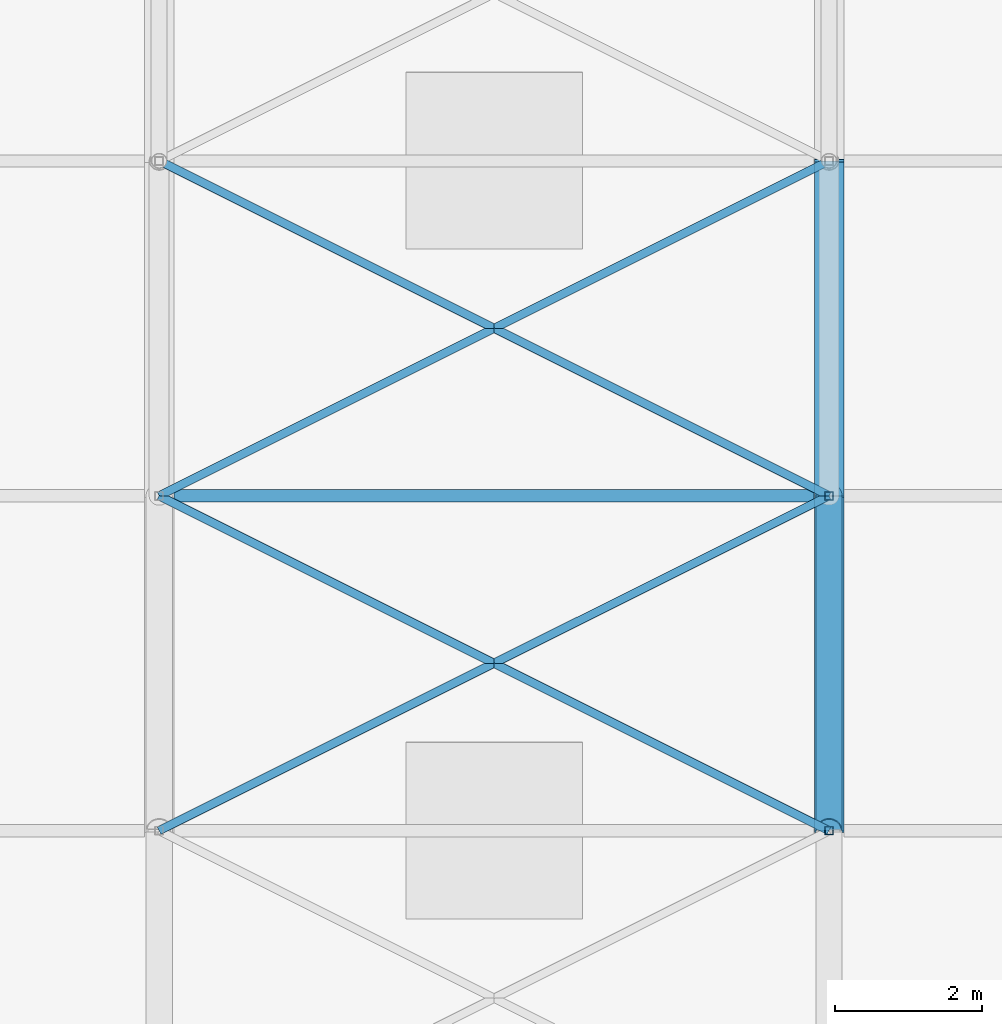
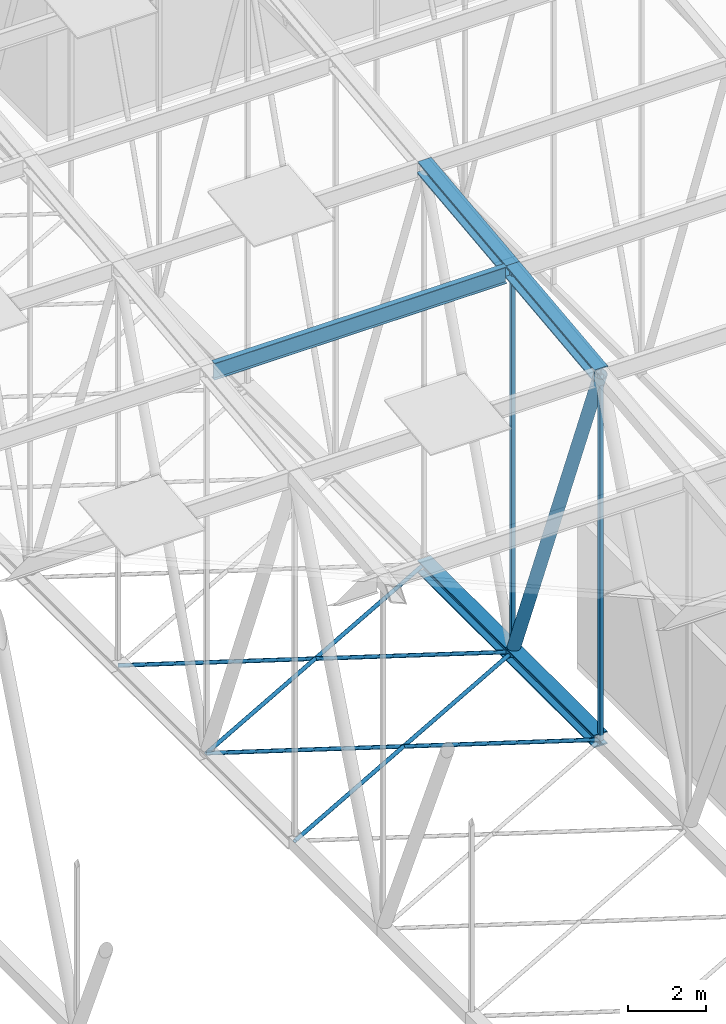
# One storey, part 148 of 500: 12 members.
"""IFC4 building model written with IfcOpenShell, lengths in metres."""

from ifc_helpers import new_model, si_unit, direction, frame, origin, origin_2d, place, context, subcontext, project, spatial, hollow_rectangle, hollow_circle, i_section, extrude, material, material_profile, profile_set, type_object, element, save


model = new_model("IFC4")

# Units and contexts
model_context = context("Model", 3, precision=1e-05, world=origin(), true_north=direction((0.0, 1.0)))
body_context = subcontext(model_context, "Body", "Model", "MODEL_VIEW")
ifc_project = project(units=[si_unit("LENGTHUNIT", "METRE"), si_unit("AREAUNIT", "SQUARE_METRE"), si_unit("VOLUMEUNIT", "CUBIC_METRE"), si_unit("PLANEANGLEUNIT", "RADIAN"), si_unit("MASSUNIT", "GRAM", prefix="KILO")], contexts=[model_context])

# Site, building, storey
site_placement = place(None, origin())
site = spatial("IfcSite", under=ifc_project, at=site_placement, CompositionType="ELEMENT")
building_placement = place(site_placement, origin())
building = spatial("IfcBuilding", under=site, at=building_placement, Name="Shirokan Park Arena", CompositionType="ELEMENT")
storey_placement = place(building_placement, frame((0.0, 0.0, 29.1201171875)))
storey = spatial("IfcBuildingStorey", under=building, at=storey_placement, Name="L06", CompositionType="ELEMENT", Elevation=29.1201171875)

# Members
ifc_material_1 = material(Name="Steel ASTM A992", Category="steel")
ifc_material_profile_1 = material_profile(ifc_material_1, i_section(OverallWidth=0.40087890625, OverallDepth=0.39892578125, WebThickness=0.02490234375, FlangeThickness=0.03955078125, at=origin_2d()), Name="W360X314")
ifc_profile_set_1 = profile_set([ifc_material_profile_1], Name="Steel ASTM A992")
member_type_1 = type_object("IfcMemberType", Name="Bottom chord W360X314", PredefinedType="CHORD", material=ifc_profile_set_1)
member_1_placement = place(storey_placement, frame((100.10009765625, 31.85009765625, 4.677001953125), z_axis=(0.0, 1.0, 0.0), x_axis=(-1.0, 0.0, 0.0)))
element("IfcMember", 1, at=member_1_placement, inside=storey, type_object=member_type_1, Name="Truss T12 bottom chord 10", PredefinedType="CHORD", context=body_context, shape_type="SweptSolid", body=[
    extrude(i_section(OverallWidth=0.40087890625, OverallDepth=0.39892578125, WebThickness=0.02490234375, FlangeThickness=0.03955078125, at=origin_2d()), origin(), (0.0, 0.0, 1.0), 4.5498046875),
])
member_2_placement = place(storey_placement, frame((100.10009765625, 36.39990234375, 4.677001953125), z_axis=(0.0, 1.0, 0.0), x_axis=(-1.0, 0.0, 0.0)))
element("IfcMember", 2, at=member_2_placement, inside=storey, type_object=member_type_1, Name="Truss T12 bottom chord 11", PredefinedType="CHORD", context=body_context, shape_type="SweptSolid", body=[
    extrude(i_section(OverallWidth=0.40087890625, OverallDepth=0.39892578125, WebThickness=0.02490234375, FlangeThickness=0.03955078125, at=origin_2d()), origin(), (0.0, 0.0, 1.0), 4.550048828125),
])
ifc_material_2 = material(Name="Steel ASTM A500 Grade C", Category="steel")
ifc_material_profile_2 = material_profile(ifc_material_2, hollow_circle(Radius=0.056884765625, WallThickness=0.006103515625, at=origin_2d()), Name="HSS114.3X6")
ifc_profile_set_2 = profile_set([ifc_material_profile_2], Name="Steel ASTM A500 Grade C")
member_type_2 = type_object("IfcMemberType", Name="Plan bracing HSS114.3X6", PredefinedType="BRACE", material=ifc_profile_set_2)
for number, where, z_axis, x_axis, name in (
    (3, (91.0, 31.85009765625, 4.677001953125), (0.8944367893, 0.447194398385, 0.0), (-0.447194398385, 0.8944367893, 0.0), "Plan bracing bay 11 panel 10 A"),
    (4, (100.10009765625, 31.85009765625, 4.677001953125), (-0.8944367893, 0.447194398385, 0.0), (-0.447194398385, -0.8944367893, 0.0), "Plan bracing bay 11 panel 10 B"),
):
    element("IfcMember", number, at=place(storey_placement, frame(where, z_axis=z_axis, x_axis=x_axis)), inside=storey, type_object=member_type_2, Name=name, PredefinedType="BRACE", context=body_context, shape_type="SweptSolid", body=[
        extrude(hollow_circle(Radius=0.056884765625, WallThickness=0.006103515625, at=origin_2d()), origin(), (0.0, 0.0, 1.0), 10.174072265625),
    ])
for number, where, z_axis, x_axis, name in (
    (5, (91.0, 36.39990234375, 4.677001953125), (0.894427191, 0.4472135955, 0.0), (-0.4472135955, 0.894427191, 0.0), "Plan bracing bay 11 panel 11 A"),
    (6, (100.10009765625, 36.39990234375, 4.677001953125), (-0.894427191, 0.4472135955, 0.0), (-0.4472135955, -0.894427191, 0.0), "Plan bracing bay 11 panel 11 B"),
):
    element("IfcMember", number, at=place(storey_placement, frame(where, z_axis=z_axis, x_axis=x_axis)), inside=storey, type_object=member_type_2, Name=name, PredefinedType="BRACE", context=body_context, shape_type="SweptSolid", body=[
        extrude(hollow_circle(Radius=0.056884765625, WallThickness=0.006103515625, at=origin_2d()), origin(), (0.0, 0.0, 1.0), 10.17431640625),
    ])
ifc_material_profile_3 = material_profile(ifc_material_1, i_section(OverallWidth=0.166015625, OverallDepth=0.528076171875, WebThickness=0.009765625, FlangeThickness=0.013671875, at=origin_2d()), Name="W530X74")
ifc_profile_set_3 = profile_set([ifc_material_profile_3], Name="Steel ASTM A992")
member_type_3 = type_object("IfcMemberType", Name="Purlin W530X74", PredefinedType="PURLIN", material=ifc_profile_set_3)
member_3_placement = place(storey_placement, frame((91.200439453125, 36.39990234375, 16.64599609375), z_axis=(1.0, 0.0, 0.0), x_axis=(0.0, 1.0, 0.0)))
element("IfcMember", 7, at=member_3_placement, inside=storey, type_object=member_type_3, Name="Purlin 11 bay 11", PredefinedType="PURLIN", context=body_context, shape_type="SweptSolid", body=[
    extrude(i_section(OverallWidth=0.166015625, OverallDepth=0.528076171875, WebThickness=0.009765625, FlangeThickness=0.013671875, at=origin_2d()), origin(), (0.0, 0.0, 1.0), 8.698974609375),
])
ifc_material_profile_4 = material_profile(ifc_material_1, i_section(OverallWidth=0.40087890625, OverallDepth=0.39892578125, WebThickness=0.02490234375, FlangeThickness=0.03955078125, at=origin_2d()), Name="W360X314")
ifc_profile_set_4 = profile_set([ifc_material_profile_4], Name="Steel ASTM A992")
member_type_4 = type_object("IfcMemberType", Name="Top chord W360X314", PredefinedType="CHORD", material=ifc_profile_set_4)
member_4_placement = place(storey_placement, frame((100.10009765625, 31.85009765625, 16.181396484375), z_axis=(0.0, 0.993531641592, 0.11355561261), x_axis=(-1.0, 0.0, 0.0)))
element("IfcMember", 8, at=member_4_placement, inside=storey, type_object=member_type_4, Name="Truss T12 top chord 10", PredefinedType="CHORD", context=body_context, shape_type="SweptSolid", body=[
    extrude(i_section(OverallWidth=0.40087890625, OverallDepth=0.39892578125, WebThickness=0.02490234375, FlangeThickness=0.03955078125, at=origin_2d()), origin(), (0.0, 0.0, 1.0), 4.579345703125),
])
member_5_placement = place(storey_placement, frame((100.10009765625, 36.39990234375, 16.701416015625), z_axis=(0.0, 0.993532328996, 0.113549598152), x_axis=(-1.0, 0.0, 0.0)))
element("IfcMember", 9, at=member_5_placement, inside=storey, type_object=member_type_4, Name="Truss T12 top chord 11", PredefinedType="CHORD", context=body_context, shape_type="SweptSolid", body=[
    extrude(i_section(OverallWidth=0.40087890625, OverallDepth=0.39892578125, WebThickness=0.02490234375, FlangeThickness=0.03955078125, at=origin_2d()), origin(), (0.0, 0.0, 1.0), 4.57958984375),
])
ifc_material_profile_5 = material_profile(ifc_material_2, hollow_circle(Radius=0.177978515625, WallThickness=0.0126953125, at=origin_2d()), Name="HSS355.6X12.7")
ifc_profile_set_5 = profile_set([ifc_material_profile_5], Name="Steel ASTM A500 Grade C")
member_type_5 = type_object("IfcMemberType", Name="Truss diagonal HSS355.6X12.7", PredefinedType="BRACE", material=ifc_profile_set_5)
member_6_placement = place(storey_placement, frame((100.10009765625, 31.85009765625, 16.181396484375), z_axis=(0.0, 0.367767637573, -0.929917719346), x_axis=(-1.0, 0.0, 0.0)))
element("IfcMember", 10, at=member_6_placement, inside=storey, type_object=member_type_5, Name="Truss T12 diagonal 10", PredefinedType="BRACE", context=body_context, shape_type="SweptSolid", body=[
    extrude(hollow_circle(Radius=0.177978515625, WallThickness=0.0126953125, at=origin_2d()), origin(), (0.0, 0.0, 1.0), 12.371337890625),
])
ifc_material_profile_6 = material_profile(ifc_material_2, hollow_rectangle(XDim=0.114013671875, YDim=0.114013671875, WallThickness=0.00634765625, at=origin_2d()), Name="HSS114.3X114.3X6.4")
ifc_profile_set_6 = profile_set([ifc_material_profile_6], Name="Steel ASTM A500 Grade C")
member_type_6 = type_object("IfcMemberType", Name="Truss post HSS114.3X114.3X6.4", PredefinedType="POST", material=ifc_profile_set_6)
member_7_placement = place(storey_placement, frame((100.10009765625, 31.85009765625, 4.677001953125), z_axis=(0.0, 0.0, 1.0), x_axis=(1.0, 0.0, 0.0)))
element("IfcMember", 11, at=member_7_placement, inside=storey, type_object=member_type_6, Name="Truss T12 post 10", PredefinedType="POST", context=body_context, shape_type="SweptSolid", body=[
    extrude(hollow_rectangle(XDim=0.114013671875, YDim=0.114013671875, WallThickness=0.00634765625, at=origin_2d()), origin(), (0.0, 0.0, 1.0), 11.50439453125),
])
member_8_placement = place(storey_placement, frame((100.10009765625, 36.39990234375, 4.677001953125), z_axis=(0.0, 0.0, 1.0), x_axis=(1.0, 0.0, 0.0)))
element("IfcMember", 12, at=member_8_placement, inside=storey, type_object=member_type_6, Name="Truss T12 post 11", PredefinedType="POST", context=body_context, shape_type="SweptSolid", body=[
    extrude(hollow_rectangle(XDim=0.114013671875, YDim=0.114013671875, WallThickness=0.00634765625, at=origin_2d()), origin(), (0.0, 0.0, 1.0), 12.0244140625),
])

save(model, "model.ifc")
